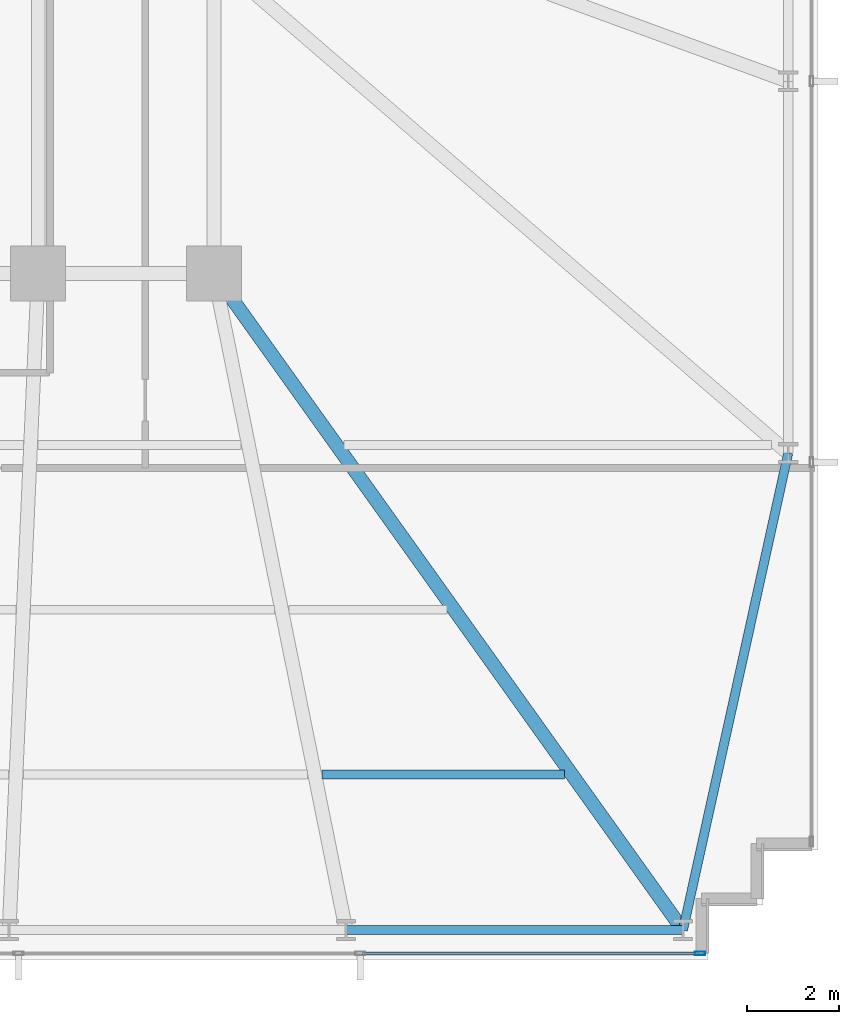
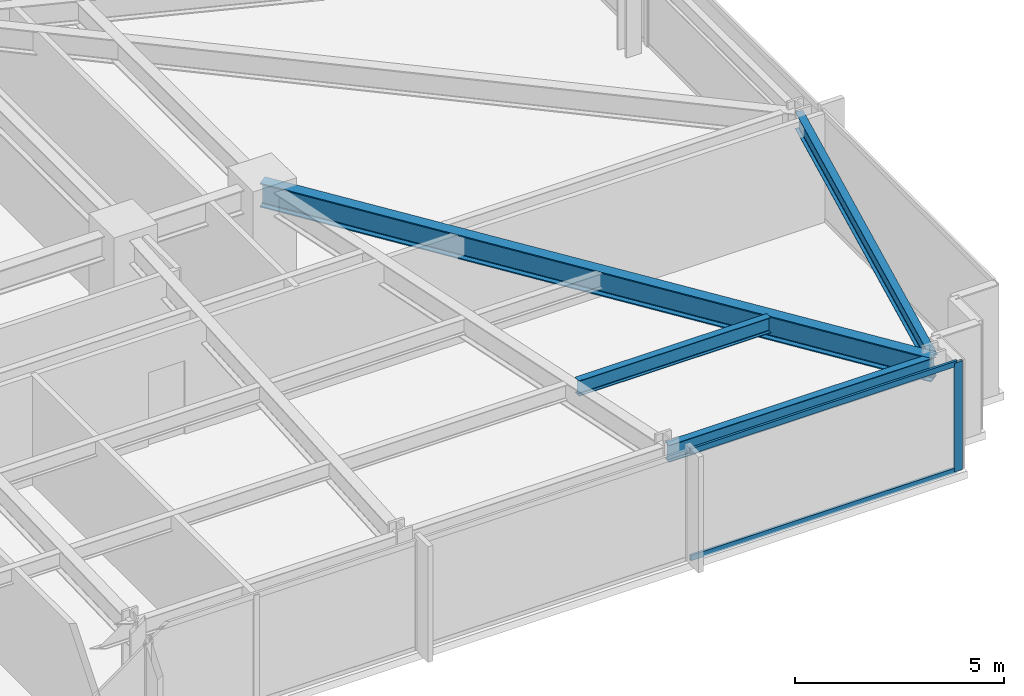
# One storey, part 15 of 32: 4 beams, 3 members, 1 element without a shape of its own.
"""IFC4 building model written with IfcOpenShell, lengths in metres."""

from ifc_helpers import new_model, si_unit, direction, frame, origin, origin_2d, place, context, subcontext, project, spatial, hollow_rectangle, i_section, extrude, material, material_profile, profile_set, type_object, element, aggregate, save


model = new_model("IFC4")

# Units and contexts
model_context = context("Model", 3, precision=1e-05, world=origin(), true_north=direction((0.0, 1.0)))
body_context = subcontext(model_context, "Body", "Model", "MODEL_VIEW")
ifc_project = project(units=[si_unit("LENGTHUNIT", "METRE"), si_unit("AREAUNIT", "SQUARE_METRE"), si_unit("VOLUMEUNIT", "CUBIC_METRE"), si_unit("PLANEANGLEUNIT", "RADIAN"), si_unit("MASSUNIT", "GRAM", prefix="KILO")], contexts=[model_context])

# Site, building, storey
site_placement = place(None, origin())
site = spatial("IfcSite", under=ifc_project, at=site_placement, CompositionType="ELEMENT")
building_placement = place(site_placement, origin())
building = spatial("IfcBuilding", under=site, at=building_placement, Name="Yelkora Congress Tower", CompositionType="ELEMENT")
storey_placement = place(building_placement, frame((0.0, 0.0, 44.0)))
storey = spatial("IfcBuildingStorey", under=building, at=storey_placement, Name="L10", CompositionType="ELEMENT", Elevation=44.0)

# Beams
ifc_material_1 = material(Name="Steel S355J2", Category="steel")
ifc_material_profile_1 = material_profile(ifc_material_1, i_section(OverallWidth=0.300048828125, OverallDepth=0.699951171875, WebThickness=0.01708984375, FlangeThickness=0.031982421875, FilletRadius=0.027099609375, at=origin_2d()), Name="HEB 700")
ifc_profile_set_1 = profile_set([ifc_material_profile_1], Name="Steel S355J2")
beam_type_1 = type_object("IfcBeamType", Name="BM-GIRD-HEB700", PredefinedType="BEAM", material=ifc_profile_set_1)
beam_1_placement = place(storey_placement, frame((67.85009765625, 10.85009765625, 2.830078125), z_axis=(-0.581242122521, 0.813730664906, 0.0), x_axis=(-0.813730664906, -0.581242122521, 0.0)))
element("IfcBeam", 1, at=beam_1_placement, inside=storey, type_object=beam_type_1, Name="L10 Primary Frame Girder S09", PredefinedType="BEAM", context=body_context, shape_type="SweptSolid", body=[
    extrude(i_section(OverallWidth=0.300048828125, OverallDepth=0.699951171875, WebThickness=0.01708984375, FlangeThickness=0.031982421875, FilletRadius=0.027099609375, at=origin_2d()), origin(), (0.0, 0.0, 1.0), 17.634765625),
])
ifc_material_profile_2 = material_profile(ifc_material_1, i_section(OverallWidth=0.18994140625, OverallDepth=0.449951171875, WebThickness=0.009521484375, FlangeThickness=0.0146484375, FilletRadius=0.02099609375, at=origin_2d()), Name="IPE 450")
ifc_profile_set_2 = profile_set([ifc_material_profile_2], Name="Steel S355J2")
beam_type_2 = type_object("IfcBeamType", Name="BM-JOIST-IPE450", PredefinedType="JOIST", material=ifc_profile_set_2)
beam_2_placement = place(storey_placement, frame((59.96337890625, 14.25, 2.955078125), z_axis=(1.0, 0.0, 0.0), x_axis=(0.0, 1.0, 0.0)))
element("IfcBeam", 2, at=beam_2_placement, inside=storey, type_object=beam_type_2, Name="L10 Composite Floor Joist 8", PredefinedType="JOIST", context=body_context, shape_type="SweptSolid", body=[
    extrude(i_section(OverallWidth=0.18994140625, OverallDepth=0.449951171875, WebThickness=0.009521484375, FlangeThickness=0.0146484375, FilletRadius=0.02099609375, at=origin_2d()), origin(), (0.0, 0.0, 1.0), 5.298095703125),
])
ifc_material_profile_3 = material_profile(ifc_material_1, i_section(OverallWidth=0.199951171875, OverallDepth=0.5, WebThickness=0.01025390625, FlangeThickness=0.01611328125, FilletRadius=0.02099609375, at=origin_2d()), Name="IPE 500")
ifc_profile_set_3 = profile_set([ifc_material_profile_3], Name="Steel S355J2")
beam_type_3 = type_object("IfcBeamType", Name="BM-SPAN-IPE500", PredefinedType="SPANDREL", material=ifc_profile_set_3)
beam_3_placement = place(storey_placement, frame((60.487548828125, 10.85009765625, 2.929931640625), z_axis=(1.0, 0.0, 0.0), x_axis=(0.0, 1.0, 0.0)))
element("IfcBeam", 3, at=beam_3_placement, inside=storey, type_object=beam_type_3, Name="L10 Perimeter Beam 9", PredefinedType="SPANDREL", context=body_context, shape_type="SweptSolid", body=[
    extrude(i_section(OverallWidth=0.199951171875, OverallDepth=0.5, WebThickness=0.01025390625, FlangeThickness=0.01611328125, FilletRadius=0.02099609375, at=origin_2d()), origin(), (0.0, 0.0, 1.0), 7.362548828125),
])
beam_4_placement = place(storey_placement, frame((67.85009765625, 10.85009765625, 2.929931640625), z_axis=(0.215428898349, 0.97651952861, 0.0), x_axis=(-0.97651952861, 0.215428898349, 0.0)))
element("IfcBeam", 4, at=beam_4_placement, inside=storey, type_object=beam_type_3, Name="L10 Perimeter Beam 10", PredefinedType="SPANDREL", context=body_context, shape_type="SweptSolid", body=[
    extrude(i_section(OverallWidth=0.199951171875, OverallDepth=0.5, WebThickness=0.01025390625, FlangeThickness=0.01611328125, FilletRadius=0.02099609375, at=origin_2d()), origin(), (0.0, 0.0, 1.0), 10.675537109375),
])

# Curtain wall, members
ifc_material_2 = material(Name="Anodised aluminium and insulated glass", Category="aluminium")
curtain_wall_type = type_object("IfcCurtainWallType", Name="CW-SYS-B1", PredefinedType="NOTDEFINED", material=ifc_material_2)
curtain_wall_placement = place(storey_placement, origin())
curtain_wall = element("IfcCurtainWall", 5, at=curtain_wall_placement, inside=storey, type_object=curtain_wall_type, Name="L10 Unitised Curtain Wall 20", PredefinedType="NOTDEFINED")
ifc_material_3 = material(Name="Anodised aluminium 6063-T6", Category="aluminium")
ifc_material_profile_4 = material_profile(ifc_material_3, hollow_rectangle(XDim=0.074951171875, YDim=0.219970703125, WallThickness=0.0048828125, at=origin_2d()), Name="ALU 75x220x5")
ifc_profile_set_4 = profile_set([ifc_material_profile_4], Name="Anodised aluminium 6063-T6")
member_type_1 = type_object("IfcMemberType", Name="MEM-ML-B1", PredefinedType="MULLION", material=ifc_profile_set_4)
member_1_placement = place(storey_placement, frame((68.222412109375, 10.340087890625, 0.0), z_axis=(0.0, 0.0, 1.0), x_axis=(0.0, -1.0, 0.0)))
member_1 = element("IfcMember", 6, at=member_1_placement, type_object=member_type_1, Name="CW-B1 mullion 1", PredefinedType="MULLION", context=body_context, shape_type="SweptSolid", body=[
    extrude(hollow_rectangle(XDim=0.074951171875, YDim=0.219970703125, WallThickness=0.0048828125, at=origin_2d()), origin(), (0.0, 0.0, 1.0), 3.179931640625),
])
ifc_material_profile_5 = material_profile(ifc_material_3, hollow_rectangle(XDim=0.06494140625, YDim=0.159912109375, WallThickness=0.00390625, at=origin_2d()), Name="ALU 65x160x4")
ifc_profile_set_5 = profile_set([ifc_material_profile_5], Name="Anodised aluminium 6063-T6")
member_type_2 = type_object("IfcMemberType", Name="MEM-TR-B1", PredefinedType="USERDEFINED", material=ifc_profile_set_5)
member_2_placement = place(storey_placement, frame((68.18505859375, 10.340087890625, 0.032470703125), z_axis=(-1.0, 0.0, 0.0), x_axis=(0.0, -1.0, 0.0)))
member_2 = element("IfcMember", 7, at=member_2_placement, type_object=member_type_2, Name="CW-B1 transom 1.1", ObjectType="TRANSOM", PredefinedType="USERDEFINED", context=body_context, shape_type="SweptSolid", body=[
    extrude(hollow_rectangle(XDim=0.06494140625, YDim=0.159912109375, WallThickness=0.00390625, at=origin_2d()), origin(), (0.0, 0.0, 1.0), 7.3525390625),
])
member_3_placement = place(storey_placement, frame((68.18505859375, 10.340087890625, 3.1474609375), z_axis=(-1.0, 0.0, 0.0), x_axis=(0.0, -1.0, 0.0)))
member_3 = element("IfcMember", 8, at=member_3_placement, type_object=member_type_2, Name="CW-B1 transom 1.2", ObjectType="TRANSOM", PredefinedType="USERDEFINED", context=body_context, shape_type="SweptSolid", body=[
    extrude(hollow_rectangle(XDim=0.06494140625, YDim=0.159912109375, WallThickness=0.00390625, at=origin_2d()), origin(), (0.0, 0.0, 1.0), 7.3525390625),
])
aggregate(curtain_wall, [member_1, member_2, member_3])

save(model, "model.ifc")
